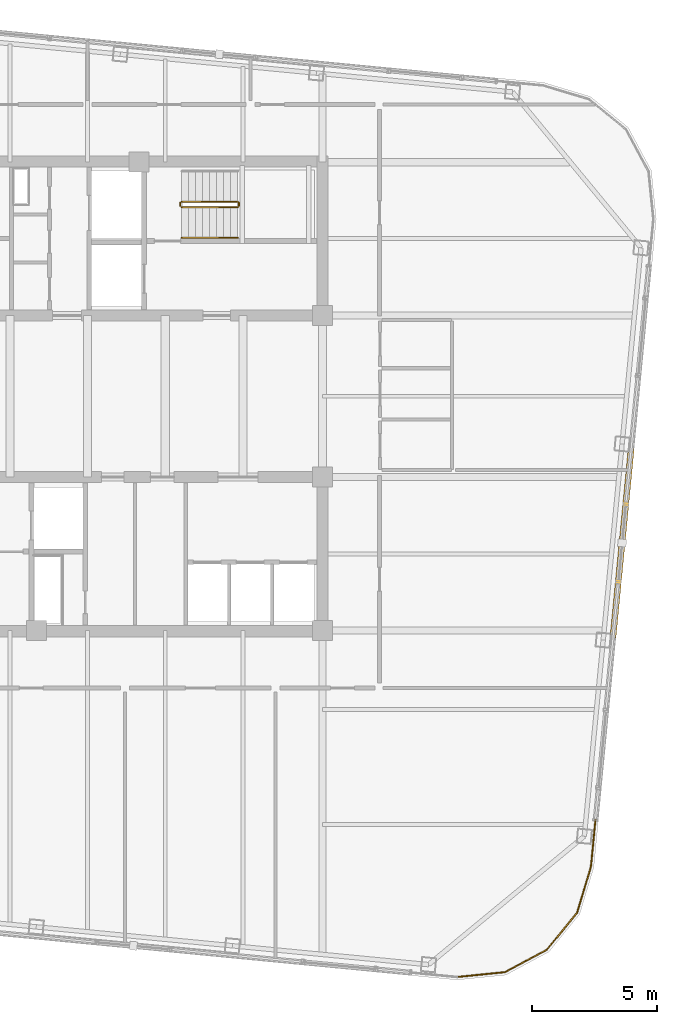
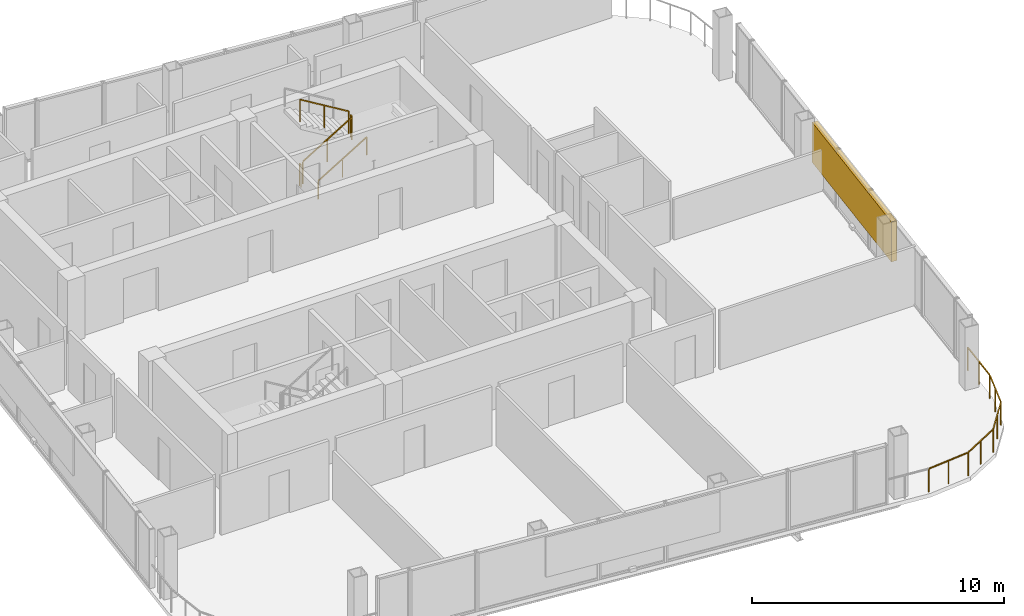
# One storey, part 22 of 23: 6 railings, 1 shading device.
"""IFC4 building model written with IfcOpenShell, lengths in metres."""

from ifc_helpers import new_model, si_unit, direction, frame, origin, origin_2d, place, context, subcontext, project, spatial, rectangle, extrude, material, type_object, element, save


model = new_model("IFC4")

# Units and contexts
model_context = context("Model", 3, precision=1e-05, world=origin(), true_north=direction((0.0, 1.0)))
body_context = subcontext(model_context, "Body", "Model", "MODEL_VIEW")
ifc_project = project(units=[si_unit("LENGTHUNIT", "METRE"), si_unit("AREAUNIT", "SQUARE_METRE"), si_unit("VOLUMEUNIT", "CUBIC_METRE"), si_unit("PLANEANGLEUNIT", "RADIAN"), si_unit("MASSUNIT", "GRAM", prefix="KILO")], contexts=[model_context])

# Site, building, storey
site_placement = place(None, origin())
site = spatial("IfcSite", under=ifc_project, at=site_placement, CompositionType="ELEMENT")
building_placement = place(site_placement, origin())
building = spatial("IfcBuilding", under=site, at=building_placement, Name="Qhalaya Broadcast Tower", CompositionType="ELEMENT")
storey_placement = place(building_placement, frame((0.0, 0.0, 261.14990234375)))
storey = spatial("IfcBuildingStorey", under=building, at=storey_placement, Name="L77", CompositionType="ELEMENT", Elevation=261.14990234375)

# Railings
ifc_material_1 = material(Name="Powder-Coated Galvanised Steel", Category="steel")
railing_type_1 = type_object("IfcRailingType", Name="Stair Wall Handrail 900", PredefinedType="HANDRAIL", material=ifc_material_1)
railing_1_placement = place(storey_placement, frame((3.75, 6.929931640625, 0.16943359375)))
element("IfcRailing", 1, at=railing_1_placement, inside=storey, type_object=railing_type_1, Name="L77 ST-1 Stair Handrail 1", PredefinedType="HANDRAIL", context=body_context, shape_type="SweptSolid", body=[
    extrude(rectangle(XDim=0.048095703125, YDim=0.048095703125, at=origin_2d()), frame((0.0, 0.0, 0.8759765625), z_axis=(0.855512035549, 0.0, 0.517782924622), x_axis=(0.0, 1.0, 0.0)), (0.0, 0.0, 1.0), 2.618408203125),
    extrude(rectangle(XDim=0.0419921875, YDim=0.0419921875, at=origin_2d()), origin(), (0.0, 0.0, 1.0), 0.849853515625),
    extrude(rectangle(XDim=0.0419921875, YDim=0.0419921875, at=origin_2d()), frame((1.1201171875, 0.0, 0.677734375)), (0.0, 0.0, 1.0), 0.849853515625),
    extrude(rectangle(XDim=0.0419921875, YDim=0.0419921875, at=origin_2d()), frame((2.239990234375, 0.0, 1.355712890625)), (0.0, 0.0, 1.0), 0.849853515625),
])
railing_type_2 = type_object("IfcRailingType", Name="Stair Well & Landing Guardrail 1100", PredefinedType="GUARDRAIL", material=ifc_material_1)
railing_2_placement = place(storey_placement, frame((3.75, 8.14990234375, 0.16943359375)))
element("IfcRailing", 2, at=railing_2_placement, inside=storey, type_object=railing_type_2, Name="L77 ST-1 Stair Guard 1", PredefinedType="GUARDRAIL", context=body_context, shape_type="SweptSolid", body=[
    extrude(rectangle(XDim=0.048095703125, YDim=0.048095703125, at=origin_2d()), frame((0.0, 0.0, 1.076171875), z_axis=(0.855512035549, 0.0, 0.517782924622), x_axis=(0.0, 1.0, 0.0)), (0.0, 0.0, 1.0), 2.618408203125),
    extrude(rectangle(XDim=0.0419921875, YDim=0.0419921875, at=origin_2d()), origin(), (0.0, 0.0, 1.0), 1.050048828125),
    extrude(rectangle(XDim=0.0419921875, YDim=0.0419921875, at=origin_2d()), frame((1.1201171875, 0.0, 0.677734375)), (0.0, 0.0, 1.0), 1.050048828125),
    extrude(rectangle(XDim=0.0419921875, YDim=0.0419921875, at=origin_2d()), frame((2.239990234375, 0.0, 1.355712890625)), (0.0, 0.0, 1.0), 1.050048828125),
])
railing_3_placement = place(storey_placement, frame((6.0400390625, 8.199951171875, 1.525146484375)))
element("IfcRailing", 3, at=railing_3_placement, inside=storey, type_object=railing_type_2, Name="L77 ST-1 Stair Guard 2", PredefinedType="GUARDRAIL", context=body_context, shape_type="SweptSolid", body=[
    extrude(rectangle(XDim=0.048095703125, YDim=0.048095703125, at=origin_2d()), frame((0.0, 0.0, 1.076171875), z_axis=(0.0, 1.0, 0.0), x_axis=(-1.0, 0.0, 0.0)), (0.0, 0.0, 1.0), 0.1201171875),
    extrude(rectangle(XDim=0.0419921875, YDim=0.0419921875, at=origin_2d()), origin(), (0.0, 0.0, 1.0), 1.050048828125),
    extrude(rectangle(XDim=0.0419921875, YDim=0.0419921875, at=origin_2d()), frame((0.0, 0.1201171875, 0.0)), (0.0, 0.0, 1.0), 1.050048828125),
])
railing_4_placement = place(storey_placement, frame((5.989990234375, 8.3701171875, 1.694580078125)))
element("IfcRailing", 4, at=railing_4_placement, inside=storey, type_object=railing_type_2, Name="L77 ST-1 Stair Guard 3", PredefinedType="GUARDRAIL", context=body_context, shape_type="SweptSolid", body=[
    extrude(rectangle(XDim=0.048095703125, YDim=0.048095703125, at=origin_2d()), frame((0.0, 0.0, 1.076171875), z_axis=(-0.855553338991, 0.0, 0.51771467445), x_axis=(0.0, -1.0, 0.0)), (0.0, 0.0, 1.0), 2.6181640625),
    extrude(rectangle(XDim=0.0419921875, YDim=0.0419921875, at=origin_2d()), origin(), (0.0, 0.0, 1.0), 1.050048828125),
    extrude(rectangle(XDim=0.0419921875, YDim=0.0419921875, at=origin_2d()), frame((-1.1201171875, 0.0, 0.677734375)), (0.0, 0.0, 1.0), 1.050048828125),
    extrude(rectangle(XDim=0.0419921875, YDim=0.0419921875, at=origin_2d()), frame((-2.239990234375, 0.0, 1.35546875)), (0.0, 0.0, 1.0), 1.050048828125),
])
railing_5_placement = place(storey_placement, frame((3.699951171875, 8.199951171875, 0.0)))
element("IfcRailing", 5, at=railing_5_placement, inside=storey, type_object=railing_type_2, Name="L77 ST-1 Stair Guard 4", PredefinedType="GUARDRAIL", context=body_context, shape_type="SweptSolid", body=[
    extrude(rectangle(XDim=0.048095703125, YDim=0.048095703125, at=origin_2d()), frame((0.0, 0.0, 1.076171875), z_axis=(0.0, 1.0, 0.0), x_axis=(-1.0, 0.0, 0.0)), (0.0, 0.0, 1.0), 0.1201171875),
    extrude(rectangle(XDim=0.0419921875, YDim=0.0419921875, at=origin_2d()), origin(), (0.0, 0.0, 1.0), 1.050048828125),
    extrude(rectangle(XDim=0.0419921875, YDim=0.0419921875, at=origin_2d()), frame((0.0, 0.1201171875, 0.0)), (0.0, 0.0, 1.0), 1.050048828125),
])
railing_type_3 = type_object("IfcRailingType", Name="Terrace, Sky-Pool & Lookout Glass Balustrade 1150", PredefinedType="BALUSTRADE", material=ifc_material_1)
railing_6_placement = place(storey_placement, frame((20.2958984375, -16.07373046875, 0.0)))
element("IfcRailing", 6, at=railing_6_placement, inside=storey, type_object=railing_type_3, Name="L77 Rounded Corner Perimeter Guard 05", PredefinedType="BALUSTRADE", context=body_context, shape_type="SweptSolid", body=[
    extrude(rectangle(XDim=0.048095703125, YDim=0.048095703125, at=origin_2d()), frame((0.0, 0.0, 1.1259765625), z_axis=(-0.095896889673, -0.995391273094, 0.0), x_axis=(0.995391273094, -0.095896889673, 0.0)), (0.0, 0.0, 1.0), 2.08935546875),
    extrude(rectangle(XDim=0.048095703125, YDim=0.048095703125, at=origin_2d()), frame((-0.21142578125, -2.135986328125, 1.1259765625), z_axis=(-0.288096282124, -0.957601447485, 0.0), x_axis=(0.957601447485, -0.288096282124, 0.0)), (0.0, 0.0, 1.0), 1.857421875),
    extrude(rectangle(XDim=0.048095703125, YDim=0.048095703125, at=origin_2d()), frame((-0.773193359375, -3.96484375, 1.1259765625), z_axis=(-0.63274871945, -0.774357190213, 0.0), x_axis=(0.774357190213, -0.63274871945, 0.0)), (0.0, 0.0, 1.0), 1.845703125),
    extrude(rectangle(XDim=0.048095703125, YDim=0.048095703125, at=origin_2d()), frame((-1.984619140625, -5.429931640625, 1.1259765625), z_axis=(-0.880932037714, -0.473242797018, 0.0), x_axis=(0.473242797018, -0.880932037714, 0.0)), (0.0, 0.0, 1.0), 1.845458984375),
    extrude(rectangle(XDim=0.048095703125, YDim=0.048095703125, at=origin_2d()), frame((-3.66455078125, -6.31982421875, 1.1259765625), z_axis=(-0.994967529225, -0.100197883148, 0.0), x_axis=(0.100197883148, -0.994967529225, 0.0)), (0.0, 0.0, 1.0), 1.88623046875),
    extrude(rectangle(XDim=0.0419921875, YDim=0.0419921875, at=origin_2d()), origin(), (0.0, 0.0, 1.0), 1.099853515625),
    extrude(rectangle(XDim=0.0419921875, YDim=0.0419921875, at=origin_2d()), frame((-0.1015625, -1.05419921875, 0.0)), (0.0, 0.0, 1.0), 1.099853515625),
    extrude(rectangle(XDim=0.0419921875, YDim=0.0419921875, at=origin_2d()), frame((-0.203125, -2.1083984375, 0.0)), (0.0, 0.0, 1.0), 1.099853515625),
    extrude(rectangle(XDim=0.0419921875, YDim=0.0419921875, at=origin_2d()), frame((-0.47900390625, -3.025390625, 0.0)), (0.0, 0.0, 1.0), 1.099853515625),
    extrude(rectangle(XDim=0.0419921875, YDim=0.0419921875, at=origin_2d()), frame((-0.7548828125, -3.9423828125, 0.0)), (0.0, 0.0, 1.0), 1.099853515625),
    extrude(rectangle(XDim=0.0419921875, YDim=0.0419921875, at=origin_2d()), frame((-1.35693359375, -4.67919921875, 0.0)), (0.0, 0.0, 1.0), 1.099853515625),
    extrude(rectangle(XDim=0.0419921875, YDim=0.0419921875, at=origin_2d()), frame((-1.959228515625, -5.416259765625, 0.0)), (0.0, 0.0, 1.0), 1.099853515625),
    extrude(rectangle(XDim=0.0419921875, YDim=0.0419921875, at=origin_2d()), frame((-2.79736328125, -5.86669921875, 0.0)), (0.0, 0.0, 1.0), 1.099853515625),
    extrude(rectangle(XDim=0.0419921875, YDim=0.0419921875, at=origin_2d()), frame((-3.6357421875, -6.31689453125, 0.0)), (0.0, 0.0, 1.0), 1.099853515625),
    extrude(rectangle(XDim=0.0419921875, YDim=0.0419921875, at=origin_2d()), frame((-4.58837890625, -6.412841796875, 0.0)), (0.0, 0.0, 1.0), 1.099853515625),
    extrude(rectangle(XDim=0.0419921875, YDim=0.0419921875, at=origin_2d()), frame((-5.541259765625, -6.5087890625, 0.0)), (0.0, 0.0, 1.0), 1.099853515625),
])

# Shading device
ifc_material_2 = material(Name="Fired Architectural Terracotta", Category="masonry")
shading_device_type = type_object("IfcShadingDeviceType", Name="Terracotta Baguette Solar Screen Assembly TBS-01", PredefinedType="USERDEFINED", material=ifc_material_2)
shading_device_placement = place(storey_placement, frame((21.337646484375, -5.25390625, 0.80078125), z_axis=(0.0, 0.0, 1.0), x_axis=(0.09584575252, 0.995396198367, 0.0)))
element("IfcShadingDevice", 7, at=shading_device_placement, inside=storey, type_object=shading_device_type, Name="L77 Fired Terracotta Baguette Screen E", ObjectType="BAGUETTE", PredefinedType="USERDEFINED", context=body_context, shape_type="SweptSolid", body=[
    extrude(rectangle(XDim=7.60009765625, YDim=0.239990234375, at=origin_2d()), origin(), (0.0, 0.0, 1.0), 1.945068359375),
])

save(model, "model.ifc")
